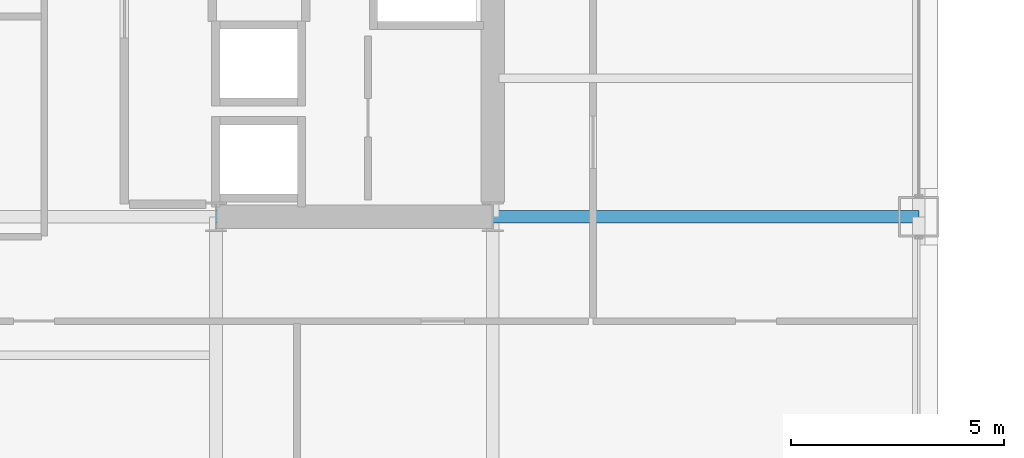
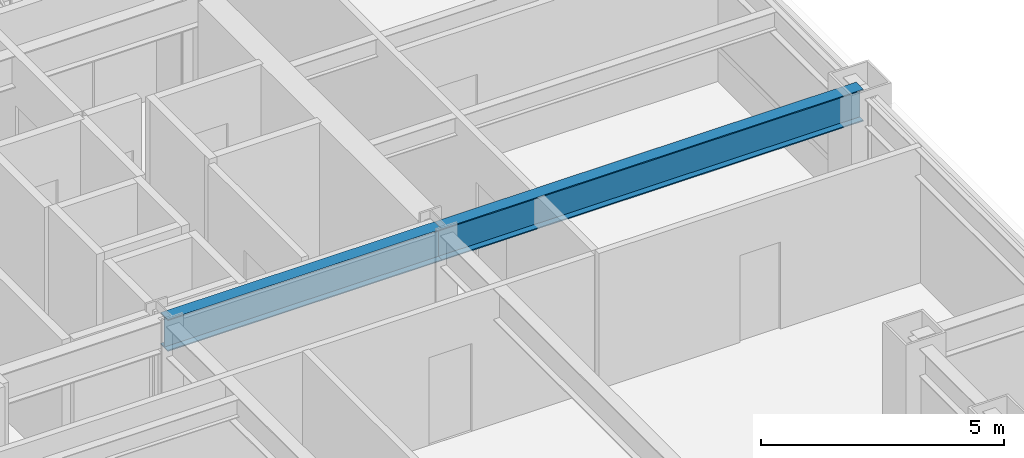
# One storey, part 11 of 31: 2 beams.
"""IFC4 building model written with IfcOpenShell, lengths in metres."""

from ifc_helpers import new_model, si_unit, direction, frame, origin, origin_2d, place, context, subcontext, project, spatial, i_section, extrude, material, material_profile, profile_set, type_object, element, save


model = new_model("IFC4")

# Units and contexts
model_context = context("Model", 3, precision=1e-05, world=origin(), true_north=direction((0.0, 1.0)))
body_context = subcontext(model_context, "Body", "Model", "MODEL_VIEW")
ifc_project = project(units=[si_unit("LENGTHUNIT", "METRE"), si_unit("AREAUNIT", "SQUARE_METRE"), si_unit("VOLUMEUNIT", "CUBIC_METRE"), si_unit("PLANEANGLEUNIT", "RADIAN"), si_unit("MASSUNIT", "GRAM", prefix="KILO")], contexts=[model_context])

# Site, building, storey
site_placement = place(None, origin())
site = spatial("IfcSite", under=ifc_project, at=site_placement, CompositionType="ELEMENT")
building_placement = place(site_placement, origin())
building = spatial("IfcBuilding", under=site, at=building_placement, Name="Brelmoor Portico Tower", CompositionType="ELEMENT")
storey_placement = place(building_placement, frame((0.0, 0.0, 31.199951171875)))
storey = spatial("IfcBuildingStorey", under=building, at=storey_placement, Name="L07", CompositionType="ELEMENT", Elevation=31.199951171875)

# Beams
ifc_material = material(Name="Steel Q355B", Category="steel")
ifc_material_profile = material_profile(ifc_material, i_section(OverallWidth=0.300048828125, OverallDepth=0.800048828125, WebThickness=0.013916015625, FlangeThickness=0.02587890625, at=origin_2d()), Name="HN 800x300x14x26")
ifc_profile_set = profile_set([ifc_material_profile], Name="Steel Q355B")
beam_type = type_object("IfcBeamType", Name="BM-PG-800", PredefinedType="BEAM", material=ifc_profile_set)
beam_1_placement = place(storey_placement, frame((8.050048828125, -9.75, 3.0), z_axis=(1.0, 0.0, 0.0), x_axis=(0.0, 1.0, 0.0)))
element("IfcBeam", 1, at=beam_1_placement, inside=storey, type_object=beam_type, Name="L07 Primary Floor Girder PG-22", PredefinedType="BEAM", context=body_context, shape_type="SweptSolid", body=[
    extrude(i_section(OverallWidth=0.300048828125, OverallDepth=0.800048828125, WebThickness=0.013916015625, FlangeThickness=0.02587890625, at=origin_2d()), origin(), (0.0, 0.0, 1.0), 6.5),
])
beam_2_placement = place(storey_placement, frame((14.550048828125, -9.75, 3.0), z_axis=(1.0, 0.0, 0.0), x_axis=(0.0, 1.0, 0.0)))
element("IfcBeam", 2, at=beam_2_placement, inside=storey, type_object=beam_type, Name="L07 Primary Floor Girder PG-23", PredefinedType="BEAM", context=body_context, shape_type="SweptSolid", body=[
    extrude(i_section(OverallWidth=0.300048828125, OverallDepth=0.800048828125, WebThickness=0.013916015625, FlangeThickness=0.02587890625, at=origin_2d()), origin(), (0.0, 0.0, 1.0), 10.0),
])

save(model, "model.ifc")
